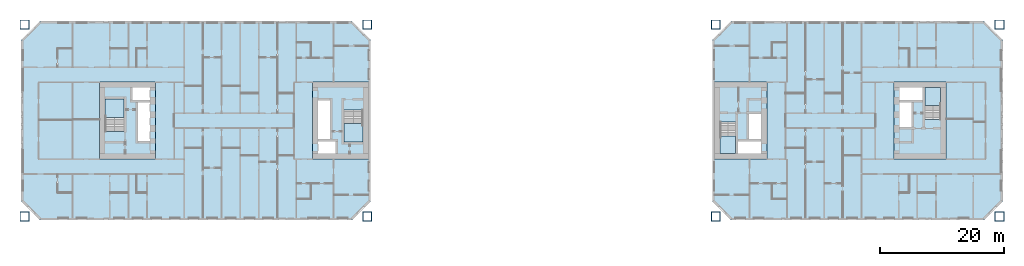
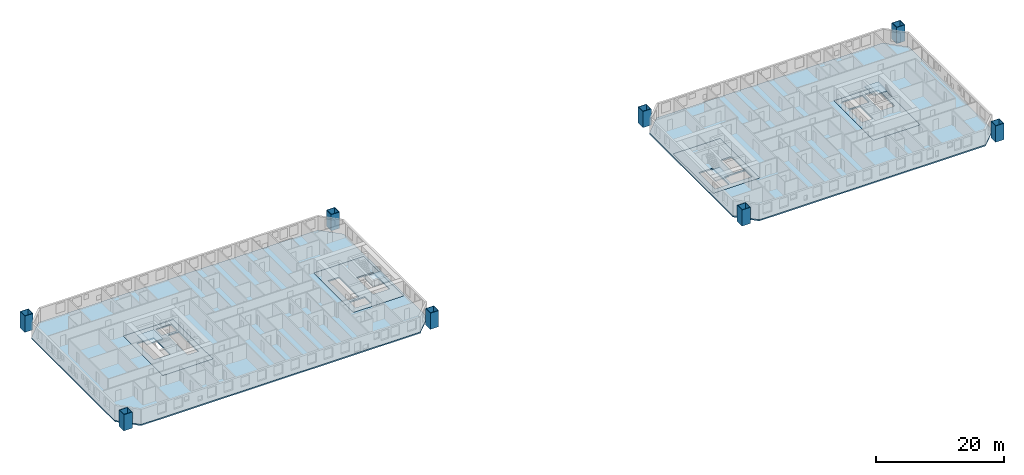
# One storey, part 1 of 17: 10 slabs, 8 columns, 4 elements without a shape of their own.
"""IFC4 building model written with IfcOpenShell, lengths in metres."""

from ifc_helpers import new_model, si_unit, direction, frame, origin, origin_2d, place, context, subcontext, project, spatial, polyline, hollow_rectangle, outline, extrude, material, layer, layer_set, material_profile, profile_set, type_object, element, aggregate, save


model = new_model("IFC4")

# Units and contexts
model_context = context("Model", 3, precision=1e-05, world=origin(), true_north=direction((0.0, 1.0)))
body_context = subcontext(model_context, "Body", "Model", "MODEL_VIEW")
ifc_project = project(units=[si_unit("LENGTHUNIT", "METRE"), si_unit("AREAUNIT", "SQUARE_METRE"), si_unit("VOLUMEUNIT", "CUBIC_METRE"), si_unit("PLANEANGLEUNIT", "RADIAN"), si_unit("MASSUNIT", "GRAM", prefix="KILO")], contexts=[model_context])

# Site, building, storey
site_placement = place(None, origin())
site = spatial("IfcSite", under=ifc_project, at=site_placement, CompositionType="ELEMENT")
building_placement = place(site_placement, origin())
building = spatial("IfcBuilding", under=site, at=building_placement, Name="Tuart Gate Housing", CompositionType="ELEMENT")
storey_placement = place(building_placement, frame((0.0, 0.0, 25.699951171875)))
storey = spatial("IfcBuildingStorey", under=building, at=storey_placement, Name="L06", CompositionType="ELEMENT", Elevation=25.699951171875)

# Columns
ifc_material_1 = material(Name="Steel Grade 350", Category="steel")
ifc_material_profile = material_profile(ifc_material_1, hollow_rectangle(XDim=1.5, YDim=1.5, WallThickness=0.080078125, at=origin_2d()), Name="BOX 1500x1500x80")
ifc_profile_set = profile_set([ifc_material_profile], Name="Steel Grade 350")
column_type = type_object("IfcColumnType", Name="Mega column BOX 1500x1500x80", PredefinedType="COLUMN", material=ifc_profile_set)
for number, where, z_axis, x_axis, name in (
    (1, (20.300048828125, 54.550048828125, 0.0), (0.0, 0.0, 1.0), (1.0, 0.0, 0.0), "Mega column A south-west L06"),
    (2, (75.449951171875, 54.550048828125, 0.0), (0.0, 0.0, 1.0), (1.0, 0.0, 0.0), "Mega column A south-east L06"),
    (3, (75.449951171875, 85.449951171875, 0.0), (0.0, 0.0, 1.0), (1.0, 0.0, 0.0), "Mega column A north-east L06"),
    (4, (20.300048828125, 85.449951171875, 0.0), (0.0, 0.0, 1.0), (1.0, 0.0, 0.0), "Mega column A north-west L06"),
    (5, (131.550048828125, 54.550048828125, 0.0), (0.0, 0.0, 1.0), (1.0, 0.0, 0.0), "Mega column B south-west L06"),
    (6, (177.199951171875, 54.550048828125, 0.0), (0.0, 0.0, 1.0), (1.0, 0.0, 0.0), "Mega column B south-east L06"),
    (7, (177.199951171875, 85.449951171875, 0.0), (0.0, 0.0, 1.0), (1.0, 0.0, 0.0), "Mega column B north-east L06"),
    (8, (131.550048828125, 85.449951171875, 0.0), (0.0, 0.0, 1.0), (1.0, 0.0, 0.0), "Mega column B north-west L06"),
):
    element("IfcColumn", number, at=place(storey_placement, frame(where, z_axis=z_axis, x_axis=x_axis)), inside=storey, type_object=column_type, Name=name, PredefinedType="COLUMN", context=body_context, shape_type="SweptSolid", body=[
        extrude(hollow_rectangle(XDim=1.5, YDim=1.5, WallThickness=0.080078125, at=origin_2d()), origin(), (0.0, 0.0, 1.0), 3.10009765625),
    ])

# Slabs
ifc_material_2 = material(Name="Concrete C40", Category="concrete")
ifc_layer_1 = layer(ifc_material_2, 0.25)
ifc_layer_set_1 = layer_set([ifc_layer_1], Name="Core floor slab 250")
slab_type_1 = type_object("IfcSlabType", Name="Core floor slab 250", PredefinedType="FLOOR", material=ifc_layer_set_1)
slab_1_placement = place(storey_placement, frame((0.0, 0.0, -0.25)))
element("IfcSlab", 9, at=slab_1_placement, inside=storey, type_object=slab_type_1, Name="Core floor AG", PredefinedType="FLOOR", context=body_context, shape_type="SweptSolid", body=[
    extrude(outline(polyline([(66.639892578125, 63.800048828125), (75.639892578125, 63.800048828125), (75.639892578125, 76.199951171875), (66.639892578125, 76.199951171875), (66.639892578125, 63.800048828125)]), holes=[polyline([(67.5400390625, 64.699951171875), (70.31005859375, 64.699951171875), (70.31005859375, 66.64990234375), (67.5400390625, 66.64990234375), (67.5400390625, 64.699951171875)]), polyline([(67.5400390625, 67.050048828125), (69.489990234375, 67.050048828125), (69.489990234375, 73.25), (67.5400390625, 73.25), (67.5400390625, 67.050048828125)]), polyline([(71.739990234375, 66.550048828125), (74.739990234375, 66.550048828125), (74.739990234375, 71.72998046875), (71.739990234375, 71.72998046875), (71.739990234375, 66.550048828125)])]), origin(), (0.0, 0.0, 1.0), 0.25),
])
slab_2_placement = place(storey_placement, frame((0.0, 0.0, -0.25)))
element("IfcSlab", 10, at=slab_2_placement, inside=storey, type_object=slab_type_1, Name="Core floor AK", PredefinedType="FLOOR", context=body_context, shape_type="SweptSolid", body=[
    extrude(outline(polyline([(32.360107421875, 63.800048828125), (41.360107421875, 63.800048828125), (41.360107421875, 76.199951171875), (32.360107421875, 76.199951171875), (32.360107421875, 63.800048828125)]), holes=[polyline([(40.4599609375, 75.300048828125), (37.68994140625, 75.300048828125), (37.68994140625, 73.35009765625), (40.4599609375, 73.35009765625), (40.4599609375, 75.300048828125)]), polyline([(40.4599609375, 72.949951171875), (38.510009765625, 72.949951171875), (38.510009765625, 66.75), (40.4599609375, 66.75), (40.4599609375, 72.949951171875)]), polyline([(36.260009765625, 73.449951171875), (33.260009765625, 73.449951171875), (33.260009765625, 68.27001953125), (36.260009765625, 68.27001953125), (36.260009765625, 73.449951171875)])]), origin(), (0.0, 0.0, 1.0), 0.25),
])
slab_3_placement = place(storey_placement, frame((0.0, 0.0, -0.25)))
element("IfcSlab", 11, at=slab_3_placement, inside=storey, type_object=slab_type_1, Name="Core floor BG", PredefinedType="FLOOR", context=body_context, shape_type="SweptSolid", body=[
    extrude(outline(polyline([(131.360107421875, 63.800048828125), (139.760009765625, 63.800048828125), (139.760009765625, 76.199951171875), (131.360107421875, 76.199951171875), (131.360107421875, 63.800048828125)]), holes=[polyline([(138.860107421875, 66.85009765625), (135.159912109375, 66.85009765625), (135.159912109375, 64.699951171875), (138.860107421875, 64.699951171875), (138.860107421875, 66.85009765625)]), polyline([(138.860107421875, 71.050048828125), (136.909912109375, 71.050048828125), (136.909912109375, 67.050048828125), (138.860107421875, 67.050048828125), (138.860107421875, 71.050048828125)]), polyline([(134.760009765625, 69.780029296875), (132.260009765625, 69.780029296875), (132.260009765625, 64.699951171875), (134.760009765625, 64.699951171875), (134.760009765625, 69.780029296875)])]), origin(), (0.0, 0.0, 1.0), 0.25),
])
slab_4_placement = place(storey_placement, frame((0.0, 0.0, -0.25)))
element("IfcSlab", 12, at=slab_4_placement, inside=storey, type_object=slab_type_1, Name="Core floor BK", PredefinedType="FLOOR", context=body_context, shape_type="SweptSolid", body=[
    extrude(outline(polyline([(160.239990234375, 63.800048828125), (168.639892578125, 63.800048828125), (168.639892578125, 76.199951171875), (160.239990234375, 76.199951171875), (160.239990234375, 63.800048828125)]), holes=[polyline([(161.139892578125, 73.14990234375), (164.840087890625, 73.14990234375), (164.840087890625, 75.300048828125), (161.139892578125, 75.300048828125), (161.139892578125, 73.14990234375)]), polyline([(161.139892578125, 68.949951171875), (163.090087890625, 68.949951171875), (163.090087890625, 72.949951171875), (161.139892578125, 72.949951171875), (161.139892578125, 68.949951171875)]), polyline([(165.239990234375, 70.219970703125), (167.739990234375, 70.219970703125), (167.739990234375, 75.300048828125), (165.239990234375, 75.300048828125), (165.239990234375, 70.219970703125)])]), origin(), (0.0, 0.0, 1.0), 0.25),
])
ifc_material_3 = material(Name="Concrete C40", Category="concrete")
ifc_layer_2 = layer(ifc_material_3, 0.25)
ifc_layer_set_2 = layer_set([ifc_layer_2], Name="Flat plate 250")
slab_type_2 = type_object("IfcSlabType", Name="Flat plate 250", PredefinedType="FLOOR", material=ifc_layer_set_2)
slab_5_placement = place(storey_placement, frame((0.0, 0.0, -0.25)))
element("IfcSlab", 13, at=slab_5_placement, inside=storey, type_object=slab_type_2, Name="Floor slab A L06", PredefinedType="FLOOR", context=body_context, shape_type="SweptSolid", body=[
    extrude(outline(polyline([(22.75, 86.0), (19.75, 83.0), (19.75, 57.0), (22.75, 54.0), (73.0, 54.0), (76.0, 57.0), (76.0, 83.0), (73.0, 86.0), (22.75, 86.0)]), holes=[polyline([(66.639892578125, 76.199951171875), (75.639892578125, 76.199951171875), (75.639892578125, 63.800048828125), (66.639892578125, 63.800048828125), (66.639892578125, 76.199951171875)]), polyline([(41.360107421875, 76.199951171875), (41.360107421875, 63.800048828125), (32.360107421875, 63.800048828125), (32.360107421875, 76.199951171875), (41.360107421875, 76.199951171875)])]), origin(), (0.0, 0.0, 1.0), 0.25),
])
slab_6_placement = place(storey_placement, frame((0.0, 0.0, -0.25)))
element("IfcSlab", 14, at=slab_6_placement, inside=storey, type_object=slab_type_2, Name="Floor slab B L06", PredefinedType="FLOOR", context=body_context, shape_type="SweptSolid", body=[
    extrude(outline(polyline([(134.0, 86.0), (131.0, 83.0), (131.0, 57.0), (134.0, 54.0), (174.75, 54.0), (177.75, 57.0), (177.75, 83.0), (174.75, 86.0), (134.0, 86.0)]), holes=[polyline([(131.360107421875, 76.199951171875), (139.760009765625, 76.199951171875), (139.760009765625, 63.800048828125), (131.360107421875, 63.800048828125), (131.360107421875, 76.199951171875)]), polyline([(168.639892578125, 76.199951171875), (168.639892578125, 63.800048828125), (160.239990234375, 63.800048828125), (160.239990234375, 76.199951171875), (168.639892578125, 76.199951171875)])]), origin(), (0.0, 0.0, 1.0), 0.25),
])

# Stair, slab
ifc_material_4 = material(Name="Concrete C40", Category="concrete")
stair_type_1 = type_object("IfcStairType", Name="Core stair 1500", PredefinedType="HALF_TURN_STAIR", material=ifc_material_4)
stair_1_placement = place(storey_placement, origin())
stair_1 = element("IfcStair", 15, at=stair_1_placement, inside=storey, type_object=stair_type_1, Name="Stair SA1", PredefinedType="HALF_TURN_STAIR")
ifc_material_5 = material(Name="Concrete C40", Category="concrete")
ifc_layer_3 = layer(ifc_material_5, 0.199951171875)
ifc_layer_set_3 = layer_set([ifc_layer_3], Name="Stair landing 200")
slab_type_3 = type_object("IfcSlabType", Name="Stair landing 200", PredefinedType="LANDING", material=ifc_layer_set_3)
slab_7_placement = place(storey_placement, frame((0.0, 0.0, 1.35009765625)))
slab_7 = element("IfcSlab", 16, at=slab_7_placement, type_object=slab_type_3, Name="SA1 landing 1", PredefinedType="LANDING", context=body_context, shape_type="SweptSolid", body=[
    extrude(outline(polyline([(71.739990234375, 66.550048828125), (74.739990234375, 66.550048828125), (74.739990234375, 69.510009765625), (71.739990234375, 69.510009765625), (71.739990234375, 66.550048828125)])), origin(), (0.0, 0.0, 1.0), 0.199951171875),
])
aggregate(stair_1, [slab_7])

stair_2_placement = place(storey_placement, origin())
stair_2 = element("IfcStair", 17, at=stair_2_placement, inside=storey, type_object=stair_type_1, Name="Stair SA2", PredefinedType="HALF_TURN_STAIR")
slab_8_placement = place(storey_placement, frame((0.0, 0.0, 1.35009765625)))
slab_8 = element("IfcSlab", 18, at=slab_8_placement, type_object=slab_type_3, Name="SA2 landing 1", PredefinedType="LANDING", context=body_context, shape_type="SweptSolid", body=[
    extrude(outline(polyline([(36.260009765625, 73.449951171875), (33.260009765625, 73.449951171875), (33.260009765625, 70.489990234375), (36.260009765625, 70.489990234375), (36.260009765625, 73.449951171875)])), origin(), (0.0, 0.0, 1.0), 0.199951171875),
])
aggregate(stair_2, [slab_8])

ifc_material_6 = material(Name="Concrete C40", Category="concrete")
stair_type_2 = type_object("IfcStairType", Name="Core stair 1250", PredefinedType="HALF_TURN_STAIR", material=ifc_material_6)
stair_3_placement = place(storey_placement, origin())
stair_3 = element("IfcStair", 19, at=stair_3_placement, inside=storey, type_object=stair_type_2, Name="Stair SB1", PredefinedType="HALF_TURN_STAIR")
slab_9_placement = place(storey_placement, frame((0.0, 0.0, 1.35009765625)))
slab_9 = element("IfcSlab", 20, at=slab_9_placement, type_object=slab_type_3, Name="SB1 landing 1", PredefinedType="LANDING", context=body_context, shape_type="SweptSolid", body=[
    extrude(outline(polyline([(134.760009765625, 67.56005859375), (132.260009765625, 67.56005859375), (132.260009765625, 64.699951171875), (134.760009765625, 64.699951171875), (134.760009765625, 67.56005859375)])), origin(), (0.0, 0.0, 1.0), 0.199951171875),
])
aggregate(stair_3, [slab_9])

stair_4_placement = place(storey_placement, origin())
stair_4 = element("IfcStair", 21, at=stair_4_placement, inside=storey, type_object=stair_type_2, Name="Stair SB2", PredefinedType="HALF_TURN_STAIR")
slab_10_placement = place(storey_placement, frame((0.0, 0.0, 1.35009765625)))
slab_10 = element("IfcSlab", 22, at=slab_10_placement, type_object=slab_type_3, Name="SB2 landing 1", PredefinedType="LANDING", context=body_context, shape_type="SweptSolid", body=[
    extrude(outline(polyline([(165.239990234375, 72.43994140625), (167.739990234375, 72.43994140625), (167.739990234375, 75.300048828125), (165.239990234375, 75.300048828125), (165.239990234375, 72.43994140625)])), origin(), (0.0, 0.0, 1.0), 0.199951171875),
])
aggregate(stair_4, [slab_10])

save(model, "model.ifc")
